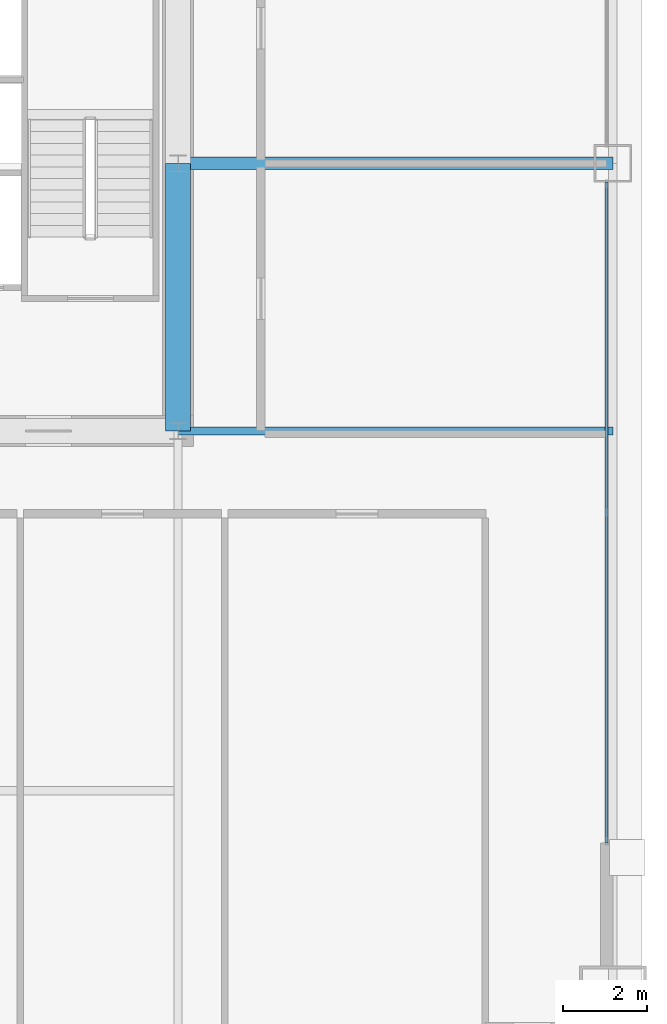
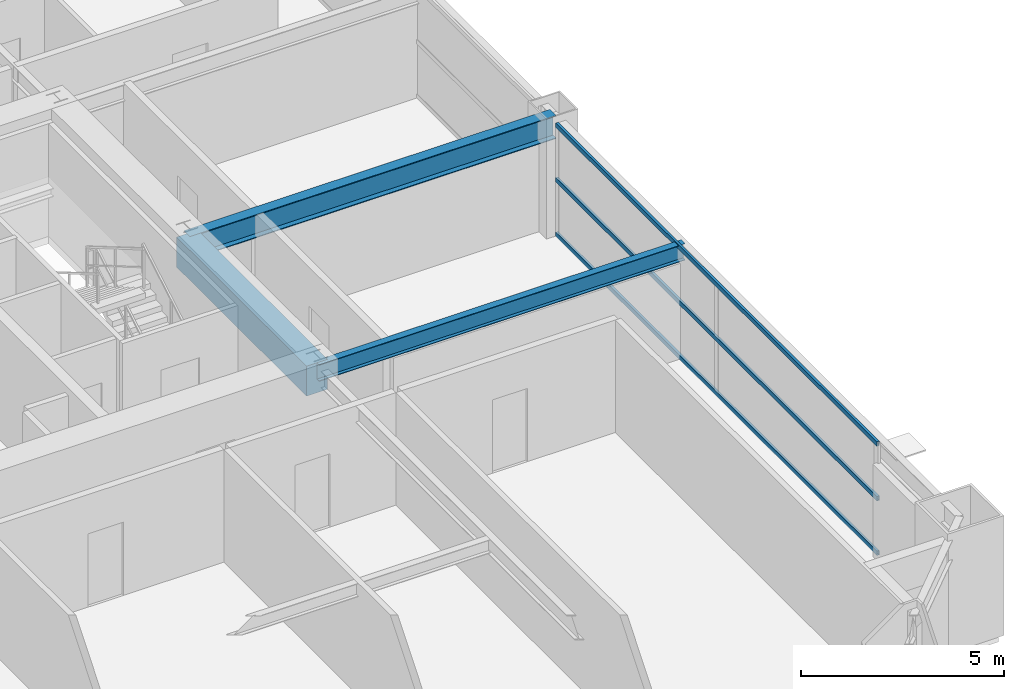
# One storey, part 19 of 39: 3 beams, 3 members, 1 element without a shape of its own.
"""IFC4 building model written with IfcOpenShell, lengths in metres."""

from ifc_helpers import new_model, si_unit, direction, frame, origin, origin_2d, place, context, subcontext, project, spatial, rectangle, hollow_rectangle, i_section, extrude, source, transform, mapped, material, layer, layer_set, material_profile, profile_set, type_object, element, aggregate, save


model = new_model("IFC4")

# Units and contexts
model_context = context("Model", 3, precision=1e-05, world=origin(), true_north=direction((0.0, 1.0)))
body_context = subcontext(model_context, "Body", "Model", "MODEL_VIEW")
ifc_project = project(units=[si_unit("LENGTHUNIT", "METRE"), si_unit("AREAUNIT", "SQUARE_METRE"), si_unit("VOLUMEUNIT", "CUBIC_METRE"), si_unit("PLANEANGLEUNIT", "RADIAN"), si_unit("MASSUNIT", "GRAM", prefix="KILO"), si_unit("THERMODYNAMICTEMPERATUREUNIT", "KELVIN"), si_unit("POWERUNIT", "WATT")], contexts=[model_context])

# Site, building, storey
site_placement = place(None, origin())
site = spatial("IfcSite", under=ifc_project, at=site_placement, CompositionType="ELEMENT")
building_placement = place(site_placement, origin())
building = spatial("IfcBuilding", under=site, at=building_placement, Name="Yuzanri Waterfront Tower", CompositionType="ELEMENT")
storey_placement = place(building_placement, frame((0.0, 0.0, 156.0)))
storey = spatial("IfcBuildingStorey", under=building, at=storey_placement, Name="L41", CompositionType="ELEMENT", Elevation=156.0)

# Beams
ifc_material_1 = material(Name="Concrete C60", Category="concrete")
ifc_material_profile_1 = material_profile(ifc_material_1, rectangle(XDim=0.60009765625, YDim=0.89990234375, at=origin_2d()), Name="RC 600x900")
ifc_profile_set_1 = profile_set([ifc_material_profile_1], Name="Concrete C60")
beam_type_1 = type_object("IfcBeamType", Name="Core Coupling Lintel Concrete C60 600x900", PredefinedType="LINTEL", material=ifc_profile_set_1)
shared_shape_1 = source(origin(), body_context, "Body", "SweptSolid", [
    extrude(rectangle(XDim=0.60009765625, YDim=0.89990234375, at=origin_2d()), origin(), (0.0, 0.0, 1.0), 6.400146484375),
])
beam_1_placement = place(storey_placement, frame((50.199951171875, 19.39990234375, 2.929931640625), z_axis=(0.0, 1.0, 0.0), x_axis=(-1.0, 0.0, 0.0)))
element("IfcBeam", 1, at=beam_1_placement, inside=storey, type_object=beam_type_1, Name="L41 Core Tie Beam CE1", PredefinedType="LINTEL", context=body_context, shape_type="MappedRepresentation", body=[
    mapped(shared_shape_1, transform((0.0, 0.0, 0.0), scale=1.0)),
])
ifc_material_2 = material(Name="Steel Q355B", Category="steel")
ifc_material_profile_2 = material_profile(ifc_material_2, i_section(OverallWidth=0.300048828125, OverallDepth=0.699951171875, WebThickness=0.012939453125, FlangeThickness=0.02392578125, at=origin_2d()), Name="HN 700x300x13x24")
ifc_profile_set_2 = profile_set([ifc_material_profile_2], Name="Steel Q355B")
beam_type_2 = type_object("IfcBeamType", Name="Primary Floor Girder Q355B HN 700x300", PredefinedType="BEAM", material=ifc_profile_set_2)
shared_shape_2 = source(origin(), body_context, "Body", "SweptSolid", [
    extrude(i_section(OverallWidth=0.300048828125, OverallDepth=0.699951171875, WebThickness=0.012939453125, FlangeThickness=0.02392578125, at=origin_2d()), origin(), (0.0, 0.0, 1.0), 10.400146484375),
])
beam_2_placement = place(storey_placement, frame((50.199951171875, 25.800048828125, 3.030029296875), z_axis=(1.0, 0.0, 0.0), x_axis=(0.0, 1.0, 0.0)))
element("IfcBeam", 2, at=beam_2_placement, inside=storey, type_object=beam_type_2, Name="L41 East Grid Girder", PredefinedType="BEAM", context=body_context, shape_type="MappedRepresentation", body=[
    mapped(shared_shape_2, transform((0.0, 0.0, 0.0), scale=1.0)),
])
ifc_material_3 = material(Name="Steel Q355B", Category="steel")
ifc_material_profile_3 = material_profile(ifc_material_3, i_section(OverallWidth=0.199951171875, OverallDepth=0.5, WebThickness=0.010009765625, FlangeThickness=0.01611328125, at=origin_2d()), Name="HN 500x200x10x16")
ifc_profile_set_3 = profile_set([ifc_material_profile_3], Name="Steel Q355B")
beam_type_3 = type_object("IfcBeamType", Name="Secondary Floor Beam Q355B HN 500x200", PredefinedType="BEAM", material=ifc_profile_set_3)
shared_shape_3 = source(origin(), body_context, "Body", "SweptSolid", [
    extrude(i_section(OverallWidth=0.199951171875, OverallDepth=0.5, WebThickness=0.010009765625, FlangeThickness=0.01611328125, at=origin_2d()), origin(), (0.0, 0.0, 1.0), 10.400146484375),
])
beam_3_placement = place(storey_placement, frame((50.199951171875, 19.39990234375, 3.1298828125), z_axis=(1.0, 0.0, 0.0), x_axis=(0.0, 1.0, 0.0)))
element("IfcBeam", 3, at=beam_3_placement, inside=storey, type_object=beam_type_3, Name="L41 East-South Core Line Beam", PredefinedType="BEAM", context=body_context, shape_type="MappedRepresentation", body=[
    mapped(shared_shape_3, transform((0.0, 0.0, 0.0), scale=1.0)),
])

# Curtain wall, members
ifc_material_4 = material(Name="Anodized Architectural Bronze", Category="metal")
ifc_layer = layer(ifc_material_4, 0.159912109375)
ifc_layer_set = layer_set([ifc_layer], Name="Anodized Architectural Bronze")
curtain_wall_type = type_object("IfcCurtainWallType", Name="Anodized Bronze Hotel Upper-Tier Solar-Control Unitized Curtain Wall 7800", PredefinedType="NOTDEFINED", material=ifc_layer_set)
curtain_wall_placement = place(storey_placement, origin())
curtain_wall = element("IfcCurtainWall", 4, at=curtain_wall_placement, inside=storey, type_object=curtain_wall_type, Name="L41 Curtain Wall CW-L41-EL", PredefinedType="NOTDEFINED")
ifc_material_5 = material(Name="Anodized Architectural Bronze", Category="metal")
ifc_material_profile_4 = material_profile(ifc_material_5, hollow_rectangle(XDim=0.070068359375, YDim=0.135009765625, WallThickness=0.00341796875, at=origin_2d()), Name="CWT 70x135")
ifc_profile_set_4 = profile_set([ifc_material_profile_4], Name="Anodized Architectural Bronze")
member_type = type_object("IfcMemberType", Name="Anodized Bronze Standard Curtain-Wall Transom 70x135", PredefinedType="USERDEFINED", material=ifc_profile_set_4)
shared_shape_4 = source(origin(), body_context, "Body", "SweptSolid", [
    extrude(hollow_rectangle(XDim=0.070068359375, YDim=0.135009765625, WallThickness=0.00341796875, at=origin_2d()), origin(), (0.0, 0.0, 1.0), 15.800048828125),
])
member_1_placement = place(storey_placement, frame((60.449951171875, 9.550048828125, 0.050048828125), z_axis=(0.0, 1.0, 0.0), x_axis=(-1.0, 0.0, 0.0)))
member_1 = element("IfcMember", 5, at=member_1_placement, type_object=member_type, Name="CW-L41-EL Transom 1", ObjectType="TRANSOM", PredefinedType="USERDEFINED", context=body_context, shape_type="MappedRepresentation", body=[
    mapped(shared_shape_4, transform((0.0, 0.0, 0.0), scale=1.0)),
])
member_2_placement = place(storey_placement, frame((60.449951171875, 9.550048828125, 1.68994140625), z_axis=(0.0, 1.0, 0.0), x_axis=(-1.0, 0.0, 0.0)))
member_2 = element("IfcMember", 6, at=member_2_placement, type_object=member_type, Name="CW-L41-EL Transom 2", ObjectType="TRANSOM", PredefinedType="USERDEFINED", context=body_context, shape_type="MappedRepresentation", body=[
    mapped(shared_shape_4, transform((0.0, 0.0, 0.0), scale=1.0)),
])
member_3_placement = place(storey_placement, frame((60.449951171875, 9.550048828125, 3.330078125), z_axis=(0.0, 1.0, 0.0), x_axis=(-1.0, 0.0, 0.0)))
member_3 = element("IfcMember", 7, at=member_3_placement, type_object=member_type, Name="CW-L41-EL Transom 3", ObjectType="TRANSOM", PredefinedType="USERDEFINED", context=body_context, shape_type="MappedRepresentation", body=[
    mapped(shared_shape_4, transform((0.0, 0.0, 0.0), scale=1.0)),
])
aggregate(curtain_wall, [member_1, member_2, member_3])

save(model, "model.ifc")
